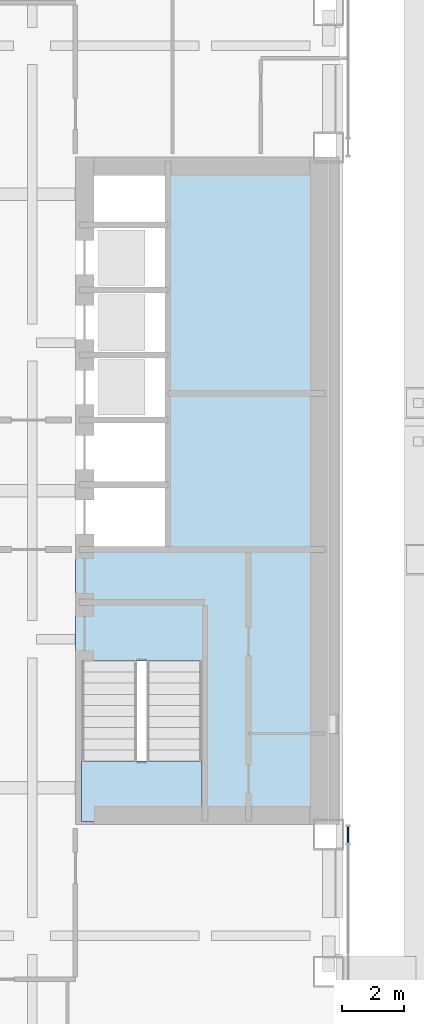
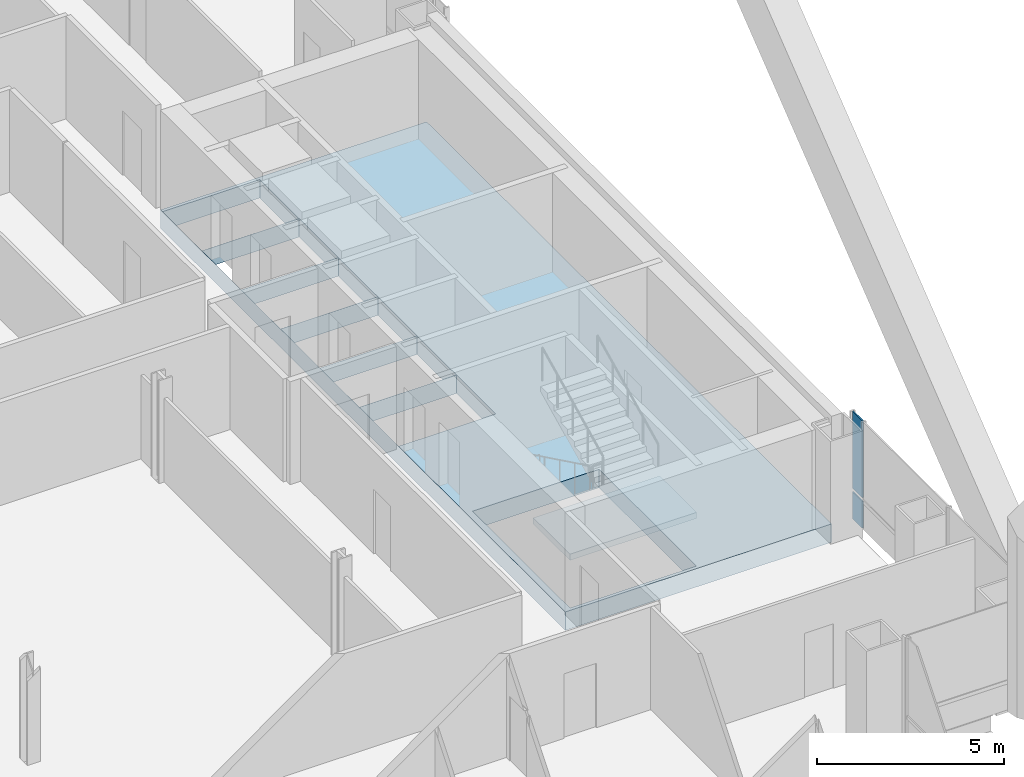
# One storey, part 16 of 28: 2 plates, 2 slabs, 2 elements without a shape of their own.
"""IFC4 building model written with IfcOpenShell, lengths in metres."""

from ifc_helpers import new_model, si_unit, direction, frame, origin, origin_2d, place, context, subcontext, project, spatial, polyline, rectangle, outline, extrude, material, layer, layer_set, type_object, element, aggregate, save


model = new_model("IFC4")

# Units and contexts
model_context = context("Model", 3, precision=1e-05, world=origin(), true_north=direction((0.0, 1.0)))
body_context = subcontext(model_context, "Body", "Model", "MODEL_VIEW")
ifc_project = project(units=[si_unit("LENGTHUNIT", "METRE"), si_unit("AREAUNIT", "SQUARE_METRE"), si_unit("VOLUMEUNIT", "CUBIC_METRE"), si_unit("PLANEANGLEUNIT", "RADIAN"), si_unit("MASSUNIT", "GRAM", prefix="KILO")], contexts=[model_context])

# Site, building, storey
site_placement = place(None, origin())
site = spatial("IfcSite", under=ifc_project, at=site_placement, CompositionType="ELEMENT")
building_placement = place(site_placement, origin())
building = spatial("IfcBuilding", under=site, at=building_placement, Name="Cobrizo Arcos Hotel Tower", CompositionType="ELEMENT")
storey_placement = place(building_placement, frame((0.0, 0.0, 39.0)))
storey = spatial("IfcBuildingStorey", under=building, at=storey_placement, Name="L07", CompositionType="ELEMENT", Elevation=39.0)

# Curtain wall, plates
ifc_material_1 = material(Name="Aluminium 6063-T6 anodised bronze", Category="aluminium")
curtain_wall_type = type_object("IfcCurtainWallType", Name="CW-A guest facade", PredefinedType="NOTDEFINED", material=ifc_material_1)
curtain_wall_placement = place(storey_placement, origin())
curtain_wall = element("IfcCurtainWall", 1, at=curtain_wall_placement, inside=storey, type_object=curtain_wall_type, Name="CW-A L07 E face", PredefinedType="NOTDEFINED")
ifc_material_2 = material(Name="Glass clear laminated low-e", Category="glass")
ifc_layer_1 = layer(ifc_material_2, 0.0400390625)
ifc_layer_set_1 = layer_set([ifc_layer_1], Name="CW-A glass panel")
plate_type_1 = type_object("IfcPlateType", Name="CW-A glass panel", PredefinedType="CURTAIN_PANEL", material=ifc_layer_set_1)
plate_1_placement = place(storey_placement, frame((24.625, -11.123291015625, 0.990234375), z_axis=(0.0, 0.0, 1.0), x_axis=(0.0, 1.0, 0.0)))
plate_1 = element("IfcPlate", 2, at=plate_1_placement, type_object=plate_type_1, Name="CW-A glass panel 374", PredefinedType="CURTAIN_PANEL", context=body_context, shape_type="SweptSolid", body=[
    extrude(rectangle(XDim=0.526611328125, YDim=0.0400390625, at=origin_2d()), origin(), (0.0, 0.0, 1.0), 2.510009765625),
])
ifc_material_3 = material(Name="Aluminium composite panel pale metal", Category="aluminium")
ifc_layer_2 = layer(ifc_material_3, 0.0400390625)
ifc_layer_set_2 = layer_set([ifc_layer_2], Name="CW-A spandrel panel")
plate_type_2 = type_object("IfcPlateType", Name="CW-A spandrel panel", PredefinedType="CURTAIN_PANEL", material=ifc_layer_set_2)
plate_2_placement = place(storey_placement, frame((24.625, -11.123291015625, 0.0), z_axis=(0.0, 0.0, 1.0), x_axis=(0.0, 1.0, 0.0)))
plate_2 = element("IfcPlate", 3, at=plate_2_placement, type_object=plate_type_2, Name="CW-A spandrel panel 374", PredefinedType="CURTAIN_PANEL", context=body_context, shape_type="SweptSolid", body=[
    extrude(rectangle(XDim=0.526611328125, YDim=0.0400390625, at=origin_2d()), origin(), (0.0, 0.0, 1.0), 0.8701171875),
])
aggregate(curtain_wall, [plate_2, plate_1])

# Slab
ifc_material_4 = material(Name="Concrete f'c 60 MPa", Category="concrete")
ifc_layer_3 = layer(ifc_material_4, 0.60009765625)
ifc_layer_set_3 = layer_set([ifc_layer_3], Name="RC core floor slab 600 f'c 60")
slab_type_1 = type_object("IfcSlabType", Name="RC core floor slab 600 f'c 60", PredefinedType="FLOOR", material=ifc_layer_set_3)
slab_1_placement = place(storey_placement, frame((0.0, 0.0, -0.60009765625)))
element("IfcSlab", 4, at=slab_1_placement, inside=storey, type_object=slab_type_1, Name="Core floor slab CS1, east core, L07", PredefinedType="FLOOR", context=body_context, shape_type="SweptSolid", body=[
    extrude(outline(polyline([(15.800048828125, 10.800048828125), (24.0, 10.800048828125), (24.0, -10.800048828125), (15.800048828125, -10.800048828125), (15.800048828125, 10.800048828125)]), holes=[polyline([(19.89794921875, -10.697998046875), (19.89794921875, -5.501953125), (16.001953125, -5.501953125), (16.001953125, -10.697998046875), (19.89794921875, -10.697998046875)]), polyline([(15.802001953125, 0.197998046875), (15.802001953125, -1.89794921875), (18.798095703125, -1.89794921875), (18.798095703125, 0.197998046875), (15.802001953125, 0.197998046875)]), polyline([(18.798095703125, 2.298095703125), (15.802001953125, 2.298095703125), (15.802001953125, 0.201904296875), (18.798095703125, 0.201904296875), (18.798095703125, 2.298095703125)]), polyline([(18.798095703125, 4.39794921875), (15.802001953125, 4.39794921875), (15.802001953125, 2.302001953125), (18.798095703125, 2.302001953125), (18.798095703125, 4.39794921875)]), polyline([(15.802001953125, 6.498046875), (15.802001953125, 4.402099609375), (18.798095703125, 4.402099609375), (18.798095703125, 6.498046875), (15.802001953125, 6.498046875)]), polyline([(18.798095703125, 8.597900390625), (15.802001953125, 8.597900390625), (15.802001953125, 6.501953125), (18.798095703125, 6.501953125), (18.798095703125, 8.597900390625)]), polyline([(18.798095703125, 10.697998046875), (15.802001953125, 10.697998046875), (15.802001953125, 8.60205078125), (18.798095703125, 8.60205078125), (18.798095703125, 10.697998046875)])]), origin(), (0.0, 0.0, 1.0), 0.60009765625),
])

# Stair, slab
ifc_material_5 = material(Name="Concrete f'c 40 MPa", Category="concrete")
stair_type = type_object("IfcStairType", Name="Exit stair", PredefinedType="HALF_TURN_STAIR", material=ifc_material_5)
stair_placement = place(storey_placement, origin())
stair = element("IfcStair", 5, at=stair_placement, inside=storey, type_object=stair_type, Name="L07 Exit stair ST-E", PredefinedType="HALF_TURN_STAIR")
ifc_layer_4 = layer(ifc_material_5, 0.199951171875)
ifc_layer_set_4 = layer_set([ifc_layer_4], Name="Stair landing")
slab_type_2 = type_object("IfcSlabType", Name="Stair landing", PredefinedType="LANDING", material=ifc_layer_set_4)
slab_2_placement = place(storey_placement, frame((0.0, 0.0, 1.550048828125)))
slab_2 = element("IfcSlab", 6, at=slab_2_placement, type_object=slab_type_2, Name="ST-E landing 1", PredefinedType="LANDING", context=body_context, shape_type="SweptSolid", body=[
    extrude(outline(polyline([(16.0, -8.739990234375), (16.0, -10.699951171875), (19.89990234375, -10.699951171875), (19.89990234375, -8.739990234375), (16.0, -8.739990234375)])), origin(), (0.0, 0.0, 1.0), 0.199951171875),
])
aggregate(stair, [slab_2])

save(model, "model.ifc")
